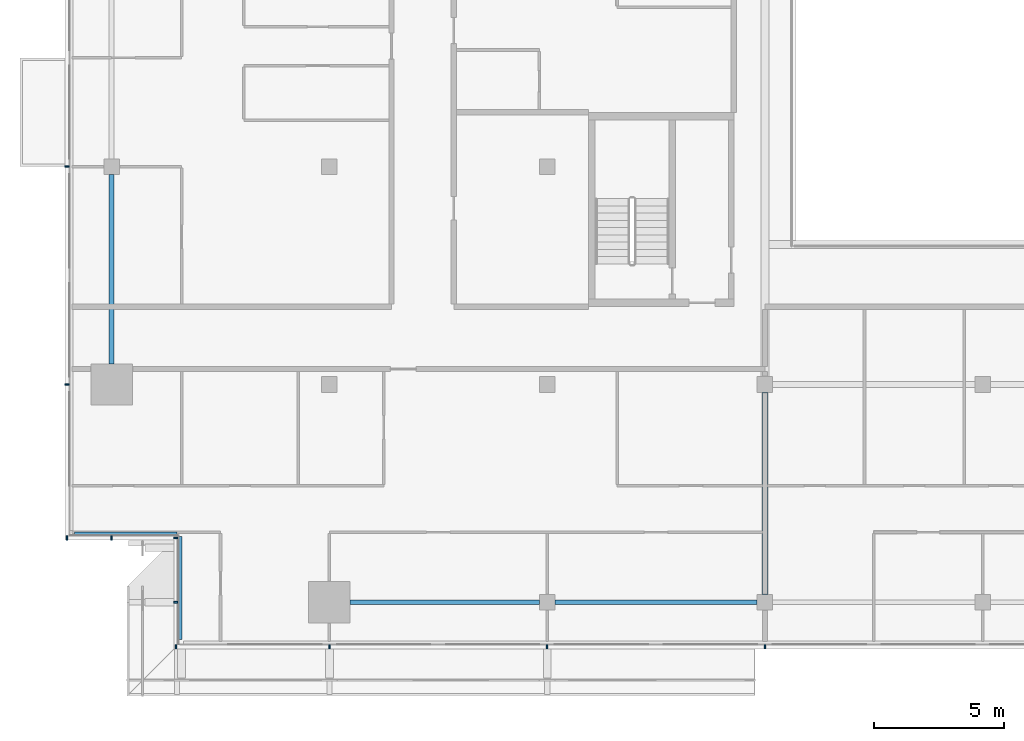
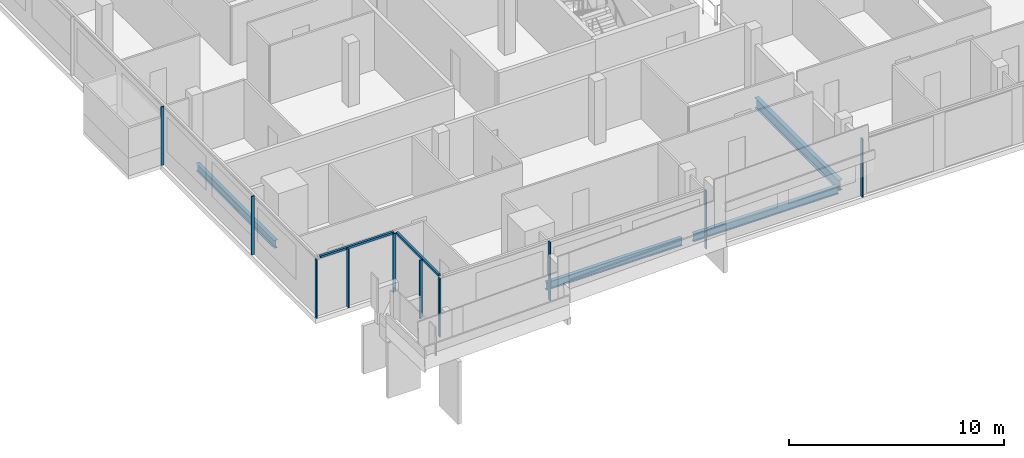
# One storey, part 2 of 29: 12 members, 4 beams, 4 elements without a shape of their own.
"""IFC4 building model written with IfcOpenShell, lengths in metres."""

from ifc_helpers import new_model, si_unit, direction, frame, origin, origin_2d, place, context, subcontext, project, spatial, rectangle, i_section, extrude, material, material_profile, profile_set, type_object, element, aggregate, save


model = new_model("IFC4")

# Units and contexts
model_context = context("Model", 3, precision=1e-05, world=origin(), true_north=direction((0.0, 1.0)))
body_context = subcontext(model_context, "Body", "Model", "MODEL_VIEW")
ifc_project = project(units=[si_unit("LENGTHUNIT", "METRE"), si_unit("AREAUNIT", "SQUARE_METRE"), si_unit("VOLUMEUNIT", "CUBIC_METRE"), si_unit("PLANEANGLEUNIT", "RADIAN"), si_unit("MASSUNIT", "GRAM", prefix="KILO")], contexts=[model_context])

# Site, building, storey
site_placement = place(None, origin())
site = spatial("IfcSite", under=ifc_project, at=site_placement, CompositionType="ELEMENT")
building_placement = place(site_placement, origin())
building = spatial("IfcBuilding", under=site, at=building_placement, Name="Saffron Gate Tower", CompositionType="ELEMENT")
storey_placement = place(building_placement, frame((0.0, 0.0, 227.10009765625)))
storey = spatial("IfcBuildingStorey", under=building, at=storey_placement, Name="L55", CompositionType="ELEMENT", Elevation=227.10009765625)

# Beams
ifc_material_1 = material(Name="Structural steel S355", Category="steel")
ifc_material_profile_1 = material_profile(ifc_material_1, i_section(OverallWidth=0.219970703125, OverallDepth=0.60009765625, WebThickness=0.011962890625, FlangeThickness=0.01904296875, FilletRadius=0.02392578125, at=origin_2d()))
ifc_profile_set_1 = profile_set([ifc_material_profile_1], Name="Structural steel S355")
beam_type_1 = type_object("IfcBeamType", Name="B15 IPE 600", PredefinedType="BEAM", material=ifc_profile_set_1)
beam_1_placement = place(storey_placement, frame((75.0, 32.10009765625, -0.580078125), z_axis=(0.0, 1.0, 0.0), x_axis=(-1.0, 0.0, 0.0)))
element("IfcBeam", 1, at=beam_1_placement, inside=storey, type_object=beam_type_1, Name="B15 FLOOR GIRDER", PredefinedType="BEAM", context=body_context, shape_type="SweptSolid", body=[
    extrude(i_section(OverallWidth=0.219970703125, OverallDepth=0.60009765625, WebThickness=0.011962890625, FlangeThickness=0.01904296875, FilletRadius=0.02392578125, at=origin_2d()), origin(), (0.0, 0.0, 1.0), 7.7998046875),
])
ifc_material_profile_2 = material_profile(ifc_material_1, i_section(OverallWidth=0.18994140625, OverallDepth=0.449951171875, WebThickness=0.009521484375, FlangeThickness=0.0146484375, FilletRadius=0.02099609375, at=origin_2d()))
ifc_profile_set_2 = profile_set([ifc_material_profile_2], Name="Structural steel S355")
beam_type_2 = type_object("IfcBeamType", Name="B7 IPE 450", PredefinedType="SPANDREL", material=ifc_profile_set_2)
for number, where, z_axis, x_axis, name in (
    (2, (49.800048828125, 41.0, -0.505126953125), (0.0, 1.0, 0.0), (-1.0, 0.0, 0.0), "B7 SPANDREL BEAM"),
    (3, (59.0, 31.800048828125, -0.505126953125), (1.0, 0.0, 0.0), (0.0, 1.0, 0.0), "B7 SPANDREL BEAM"),
):
    element("IfcBeam", number, at=place(storey_placement, frame(where, z_axis=z_axis, x_axis=x_axis)), inside=storey, type_object=beam_type_2, Name=name, PredefinedType="SPANDREL", context=body_context, shape_type="SweptSolid", body=[
        extrude(i_section(OverallWidth=0.18994140625, OverallDepth=0.449951171875, WebThickness=0.009521484375, FlangeThickness=0.0146484375, FilletRadius=0.02099609375, at=origin_2d()), origin(), (0.0, 0.0, 1.0), 7.300048828125),
    ])
beam_2_placement = place(storey_placement, frame((66.89990234375, 31.800048828125, -0.505126953125), z_axis=(1.0, 0.0, 0.0), x_axis=(0.0, 1.0, 0.0)))
element("IfcBeam", 4, at=beam_2_placement, inside=storey, type_object=beam_type_2, Name="B7 SPANDREL BEAM", PredefinedType="SPANDREL", context=body_context, shape_type="SweptSolid", body=[
    extrude(i_section(OverallWidth=0.18994140625, OverallDepth=0.449951171875, WebThickness=0.009521484375, FlangeThickness=0.0146484375, FilletRadius=0.02099609375, at=origin_2d()), origin(), (0.0, 0.0, 1.0), 7.800048828125),
])

# Curtain wall, members
ifc_material_2 = material(Name="Aluminium, bronze anodised", Category="aluminium")
curtain_wall_type_1 = type_object("IfcCurtainWallType", Name="CWS1 curtain wall front facade", PredefinedType="NOTDEFINED", material=ifc_material_2)
curtain_wall_1_placement = place(storey_placement, origin())
curtain_wall_1 = element("IfcCurtainWall", 5, at=curtain_wall_1_placement, inside=storey, type_object=curtain_wall_type_1, Name="CWS1 run 1", PredefinedType="NOTDEFINED")
ifc_material_profile_3 = material_profile(ifc_material_2, rectangle(XDim=0.159912109375, YDim=0.06005859375, at=origin_2d()))
ifc_profile_set_3 = profile_set([ifc_material_profile_3], Name="Aluminium, bronze anodised")
member_type_1 = type_object("IfcMemberType", Name="CWS1 mullion 60x160", PredefinedType="MULLION", material=ifc_profile_set_3)
member_1_placement = place(storey_placement, frame((52.280029296875, 30.080078125, 0.0), z_axis=(0.0, 0.0, 1.0), x_axis=(0.0, 1.0, 0.0)))
member_1 = element("IfcMember", 6, at=member_1_placement, type_object=member_type_1, Name="CWS1 mullion 1", PredefinedType="MULLION", context=body_context, shape_type="SweptSolid", body=[
    extrude(rectangle(XDim=0.159912109375, YDim=0.06005859375, at=origin_2d()), origin(), (0.0, 0.0, 1.0), 3.31982421875),
])
member_2_placement = place(storey_placement, frame((58.199951171875, 30.080078125, 0.0), z_axis=(0.0, 0.0, 1.0), x_axis=(0.0, 1.0, 0.0)))
member_2 = element("IfcMember", 7, at=member_2_placement, type_object=member_type_1, Name="CWS1 mullion 2", PredefinedType="MULLION", context=body_context, shape_type="SweptSolid", body=[
    extrude(rectangle(XDim=0.159912109375, YDim=0.06005859375, at=origin_2d()), origin(), (0.0, 0.0, 1.0), 3.31982421875),
])
member_3_placement = place(storey_placement, frame((66.60009765625, 30.080078125, 0.0), z_axis=(0.0, 0.0, 1.0), x_axis=(0.0, 1.0, 0.0)))
member_3 = element("IfcMember", 8, at=member_3_placement, type_object=member_type_1, Name="CWS1 mullion 3", PredefinedType="MULLION", context=body_context, shape_type="SweptSolid", body=[
    extrude(rectangle(XDim=0.159912109375, YDim=0.06005859375, at=origin_2d()), origin(), (0.0, 0.0, 1.0), 3.31982421875),
])
member_4_placement = place(storey_placement, frame((75.0, 30.080078125, 0.0), z_axis=(0.0, 0.0, 1.0), x_axis=(0.0, 1.0, 0.0)))
member_4 = element("IfcMember", 9, at=member_4_placement, type_object=member_type_1, Name="CWS1 mullion 4", PredefinedType="MULLION", context=body_context, shape_type="SweptSolid", body=[
    extrude(rectangle(XDim=0.159912109375, YDim=0.06005859375, at=origin_2d()), origin(), (0.0, 0.0, 1.0), 3.31982421875),
])
aggregate(curtain_wall_1, [member_1, member_2, member_3, member_4])

curtain_wall_type_2 = type_object("IfcCurtainWallType", Name="CWS2 curtain wall side facades", PredefinedType="NOTDEFINED", material=ifc_material_2)
curtain_wall_2_placement = place(storey_placement, origin())
curtain_wall_2 = element("IfcCurtainWall", 10, at=curtain_wall_2_placement, inside=storey, type_object=curtain_wall_type_2, Name="CWS2 run 10", PredefinedType="NOTDEFINED")
ifc_material_profile_4 = material_profile(ifc_material_2, rectangle(XDim=0.159912109375, YDim=0.06005859375, at=origin_2d()))
ifc_profile_set_4 = profile_set([ifc_material_profile_4], Name="Aluminium, bronze anodised")
member_type_2 = type_object("IfcMemberType", Name="CWS2 mullion 60x160", PredefinedType="MULLION", material=ifc_profile_set_4)
member_5_placement = place(storey_placement, frame((48.080078125, 48.60009765625, 0.0), z_axis=(0.0, 0.0, 1.0), x_axis=(1.0, 0.0, 0.0)))
member_5 = element("IfcMember", 11, at=member_5_placement, type_object=member_type_2, Name="CWS2 mullion 4", PredefinedType="MULLION", context=body_context, shape_type="SweptSolid", body=[
    extrude(rectangle(XDim=0.159912109375, YDim=0.06005859375, at=origin_2d()), origin(), (0.0, 0.0, 1.0), 3.31982421875),
])
member_6_placement = place(storey_placement, frame((48.080078125, 40.199951171875, 0.0), z_axis=(0.0, 0.0, 1.0), x_axis=(1.0, 0.0, 0.0)))
member_6 = element("IfcMember", 12, at=member_6_placement, type_object=member_type_2, Name="CWS2 mullion 5", PredefinedType="MULLION", context=body_context, shape_type="SweptSolid", body=[
    extrude(rectangle(XDim=0.159912109375, YDim=0.06005859375, at=origin_2d()), origin(), (0.0, 0.0, 1.0), 3.31982421875),
])
aggregate(curtain_wall_2, [member_5, member_6])

# Curtain wall, member
curtain_wall_type_3 = type_object("IfcCurtainWallType", Name="CWS4 curtain wall corner returns", PredefinedType="NOTDEFINED", material=ifc_material_2)
curtain_wall_3_placement = place(storey_placement, origin())
curtain_wall_3 = element("IfcCurtainWall", 13, at=curtain_wall_3_placement, inside=storey, type_object=curtain_wall_type_3, Name="CWS4 run 11", PredefinedType="NOTDEFINED")
ifc_material_profile_5 = material_profile(ifc_material_2, rectangle(XDim=0.1201171875, YDim=0.1201171875, at=origin_2d()))
ifc_profile_set_5 = profile_set([ifc_material_profile_5], Name="Aluminium, bronze anodised")
member_type_3 = type_object("IfcMemberType", Name="CWS4 head transom", PredefinedType="USERDEFINED", material=ifc_profile_set_5)
member_7_placement = place(storey_placement, frame((48.367919921875, 34.447998046875, 3.260009765625), z_axis=(1.0, 0.0, 0.0), x_axis=(0.0, 1.0, 0.0)))
member_7 = element("IfcMember", 14, at=member_7_placement, type_object=member_type_3, Name="CWS4 head transom", ObjectType="TRANSOM", PredefinedType="USERDEFINED", context=body_context, shape_type="SweptSolid", body=[
    extrude(rectangle(XDim=0.1201171875, YDim=0.1201171875, at=origin_2d()), origin(), (0.0, 0.0, 1.0), 3.9599609375),
])

curtain_wall_4_placement = place(storey_placement, origin())
curtain_wall_4 = element("IfcCurtainWall", 15, at=curtain_wall_4_placement, inside=storey, type_object=curtain_wall_type_3, Name="CWS4 run 12", PredefinedType="NOTDEFINED")
member_8_placement = place(storey_placement, frame((52.447998046875, 34.327880859375, 3.260009765625), z_axis=(0.0, -1.0, 0.0), x_axis=(1.0, 0.0, 0.0)))
member_8 = element("IfcMember", 16, at=member_8_placement, type_object=member_type_3, Name="CWS4 head transom", ObjectType="TRANSOM", PredefinedType="USERDEFINED", context=body_context, shape_type="SweptSolid", body=[
    extrude(rectangle(XDim=0.1201171875, YDim=0.1201171875, at=origin_2d()), origin(), (0.0, 0.0, 1.0), 3.9599609375),
])

# Member
ifc_material_profile_6 = material_profile(ifc_material_2, rectangle(XDim=0.159912109375, YDim=0.06005859375, at=origin_2d()))
ifc_profile_set_6 = profile_set([ifc_material_profile_6], Name="Aluminium, bronze anodised")
member_type_4 = type_object("IfcMemberType", Name="CWS4 mullion 60x160", PredefinedType="MULLION", material=ifc_profile_set_6)
member_9_placement = place(storey_placement, frame((48.080078125, 34.280029296875, 0.0), z_axis=(0.0, 0.0, 1.0), x_axis=(0.0, 1.0, 0.0)))
member_9 = element("IfcMember", 17, at=member_9_placement, type_object=member_type_4, Name="CWS4 mullion 1", PredefinedType="MULLION", context=body_context, shape_type="SweptSolid", body=[
    extrude(rectangle(XDim=0.159912109375, YDim=0.06005859375, at=origin_2d()), origin(), (0.0, 0.0, 1.0), 3.31982421875),
])

member_10_placement = place(storey_placement, frame((49.800048828125, 34.280029296875, 0.0), z_axis=(0.0, 0.0, 1.0), x_axis=(0.0, 1.0, 0.0)))
member_10 = element("IfcMember", 18, at=member_10_placement, type_object=member_type_4, Name="CWS4 mullion 2", PredefinedType="MULLION", context=body_context, shape_type="SweptSolid", body=[
    extrude(rectangle(XDim=0.159912109375, YDim=0.06005859375, at=origin_2d()), origin(), (0.0, 0.0, 1.0), 3.31982421875),
])

aggregate(curtain_wall_3, [member_9, member_10, member_7])

member_11_placement = place(storey_placement, frame((52.280029296875, 34.280029296875, 0.0), z_axis=(0.0, 0.0, 1.0), x_axis=(1.0, 0.0, 0.0)))
member_11 = element("IfcMember", 19, at=member_11_placement, type_object=member_type_4, Name="CWS4 mullion 1", PredefinedType="MULLION", context=body_context, shape_type="SweptSolid", body=[
    extrude(rectangle(XDim=0.159912109375, YDim=0.06005859375, at=origin_2d()), origin(), (0.0, 0.0, 1.0), 3.31982421875),
])

member_12_placement = place(storey_placement, frame((52.280029296875, 31.800048828125, 0.0), z_axis=(0.0, 0.0, 1.0), x_axis=(1.0, 0.0, 0.0)))
member_12 = element("IfcMember", 20, at=member_12_placement, type_object=member_type_4, Name="CWS4 mullion 2", PredefinedType="MULLION", context=body_context, shape_type="SweptSolid", body=[
    extrude(rectangle(XDim=0.159912109375, YDim=0.06005859375, at=origin_2d()), origin(), (0.0, 0.0, 1.0), 3.31982421875),
])

aggregate(curtain_wall_4, [member_11, member_12, member_8])

save(model, "model.ifc")
